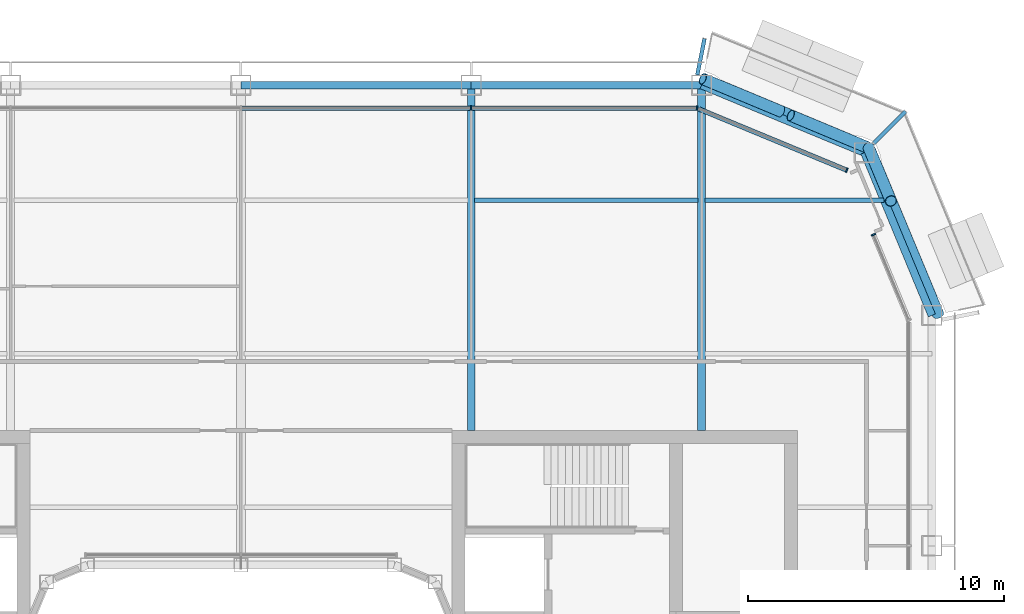
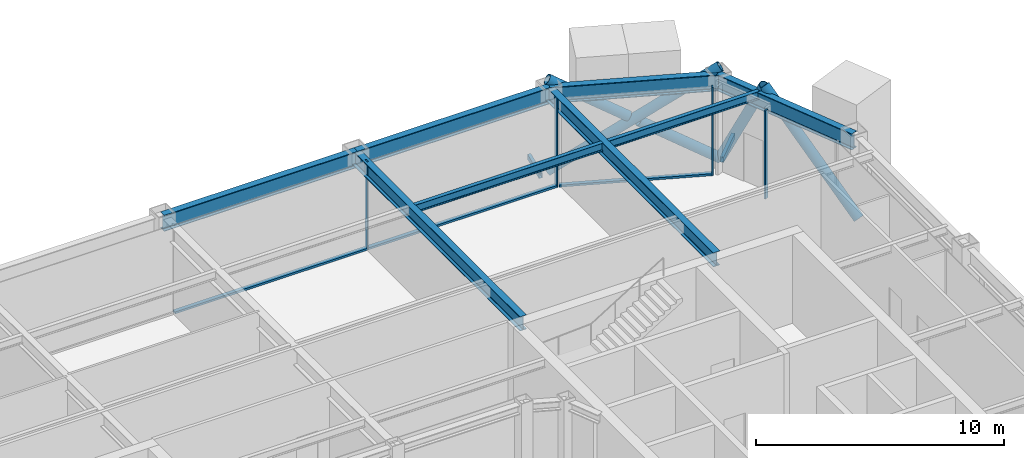
# One storey, part 10 of 23: 12 members, 10 beams, 3 elements without a shape of their own.
"""IFC4 building model written with IfcOpenShell, lengths in metres."""

from ifc_helpers import new_model, si_unit, direction, frame, origin, origin_2d, place, context, subcontext, project, spatial, rectangle, hollow_rectangle, hollow_circle, i_section, extrude, material, layer, layer_set, material_profile, profile_set, type_object, element, aggregate, save


model = new_model("IFC4")

# Units and contexts
model_context = context("Model", 3, precision=1e-05, world=origin(), true_north=direction((0.0, 1.0)))
body_context = subcontext(model_context, "Body", "Model", "MODEL_VIEW")
ifc_project = project(units=[si_unit("LENGTHUNIT", "METRE"), si_unit("AREAUNIT", "SQUARE_METRE"), si_unit("VOLUMEUNIT", "CUBIC_METRE"), si_unit("PLANEANGLEUNIT", "RADIAN"), si_unit("MASSUNIT", "GRAM", prefix="KILO")], contexts=[model_context])

# Site, building, storey
site_placement = place(None, origin())
site = spatial("IfcSite", under=ifc_project, at=site_placement, CompositionType="ELEMENT")
building_placement = place(site_placement, origin())
building = spatial("IfcBuilding", under=site, at=building_placement, Name="Siwar Civic Tower", CompositionType="ELEMENT")
storey_placement = place(building_placement, frame((0.0, 0.0, 260.199951171875)))
storey = spatial("IfcBuildingStorey", under=building, at=storey_placement, Name="L56", CompositionType="ELEMENT", Elevation=260.199951171875)

# Beams
ifc_material_1 = material(Name="Steel S355", Category="steel")
ifc_material_profile_1 = material_profile(ifc_material_1, hollow_rectangle(XDim=0.14990234375, YDim=0.25, WallThickness=0.010009765625, at=origin_2d()), Name="RHS250x150x10")
ifc_profile_set_1 = profile_set([ifc_material_profile_1], Name="Steel S355")
beam_type_1 = type_object("IfcBeamType", Name="ENV-BALCONY ARM", PredefinedType="BEAM", material=ifc_profile_set_1)
beam_1_placement = place(storey_placement, frame((24.728515625, 24.728515625, -0.27490234375), z_axis=(0.707106781187, 0.707106781187, 0.0), x_axis=(-0.707106781187, 0.707106781187, 0.0)))
element("IfcBeam", 1, at=beam_1_placement, inside=storey, type_object=beam_type_1, Name="Balcony cantilever beam NE 2", PredefinedType="BEAM", context=body_context, shape_type="SweptSolid", body=[
    extrude(hollow_rectangle(XDim=0.14990234375, YDim=0.25, WallThickness=0.010009765625, at=origin_2d()), origin(), (0.0, 0.0, 1.0), 1.75732421875),
])
beam_2_placement = place(storey_placement, frame((17.8349609375, 27.39990234375, -0.27490234375), z_axis=(0.195042496631, 0.980794792252, 0.0), x_axis=(-0.980794792252, 0.195042496631, 0.0)))
element("IfcBeam", 2, at=beam_2_placement, inside=storey, type_object=beam_type_1, Name="Balcony cantilever beam NE 3", PredefinedType="BEAM", context=body_context, shape_type="SweptSolid", body=[
    extrude(hollow_rectangle(XDim=0.14990234375, YDim=0.25, WallThickness=0.010009765625, at=origin_2d()), origin(), (0.0, 0.0, 1.0), 1.443359375),
])

# Curtain wall, member
ifc_material_2 = material(Name="Aluminium clad insulated panel", Category="aluminium")
ifc_layer_1 = layer(ifc_material_2, 0.179931640625)
ifc_layer_set_1 = layer_set([ifc_layer_1], Name="Aluminium clad insulated panel")
curtain_wall_type_1 = type_object("IfcCurtainWallType", Name="ENV-CW-CX", PredefinedType="NOTDEFINED", material=ifc_layer_set_1)
curtain_wall_1_placement = place(storey_placement, origin())
curtain_wall_1 = element("IfcCurtainWall", 3, at=curtain_wall_1_placement, inside=storey, type_object=curtain_wall_type_1, Name="Curtain wall C NE1", PredefinedType="NOTDEFINED")
ifc_material_3 = material(Name="Aluminium 6063-T6", Category="aluminium")
ifc_material_profile_2 = material_profile(ifc_material_3, rectangle(XDim=0.179931640625, YDim=0.06005859375, at=origin_2d()), Name="AL 180x60")
ifc_profile_set_2 = profile_set([ifc_material_profile_2], Name="Aluminium 6063-T6")
member_type_1 = type_object("IfcMemberType", Name="ENV-MULLION-C", PredefinedType="MULLION", material=ifc_profile_set_2)
member_1_placement = place(storey_placement, frame((24.719482421875, 21.153564453125, 0.0), z_axis=(0.0, 0.0, 1.0), x_axis=(-0.923879532511, -0.382683432365, 0.0)))
member_1 = element("IfcMember", 4, at=member_1_placement, type_object=member_type_1, Name="Mullion C NE1 2", PredefinedType="MULLION", context=body_context, shape_type="SweptSolid", body=[
    extrude(rectangle(XDim=0.179931640625, YDim=0.06005859375, at=origin_2d()), origin(), (0.0, 0.0, 1.0), 4.35009765625),
])
aggregate(curtain_wall_1, [member_1])

curtain_wall_2_placement = place(storey_placement, origin())
curtain_wall_2 = element("IfcCurtainWall", 5, at=curtain_wall_2_placement, inside=storey, type_object=curtain_wall_type_1, Name="Curtain wall C NE2", PredefinedType="NOTDEFINED")
member_2_placement = place(storey_placement, frame((23.675048828125, 23.675048828125, 0.0), z_axis=(0.0, 0.0, 1.0), x_axis=(-0.382683432365, -0.923879532511, 0.0)))
member_2 = element("IfcMember", 6, at=member_2_placement, type_object=member_type_1, Name="Mullion C NE2 1", PredefinedType="MULLION", context=body_context, shape_type="SweptSolid", body=[
    extrude(rectangle(XDim=0.179931640625, YDim=0.06005859375, at=origin_2d()), origin(), (0.0, 0.0, 1.0), 4.35009765625),
])

# Curtain wall, members
ifc_material_4 = material(Name="Aluminium and glass", Category="aluminium")
ifc_layer_2 = layer(ifc_material_4, 0.179931640625)
ifc_layer_set_2 = layer_set([ifc_layer_2], Name="Aluminium and glass")
curtain_wall_type_2 = type_object("IfcCurtainWallType", Name="ENV-CW-C", PredefinedType="NOTDEFINED", material=ifc_layer_set_2)
curtain_wall_3_placement = place(storey_placement, origin())
curtain_wall_3 = element("IfcCurtainWall", 7, at=curtain_wall_3_placement, inside=storey, type_object=curtain_wall_type_2, Name="Curtain wall C N", PredefinedType="NOTDEFINED")
member_3_placement = place(storey_placement, frame((17.821044921875, 26.10009765625, 0.0), z_axis=(0.0, 0.0, 1.0), x_axis=(0.0, -1.0, 0.0)))
member_3 = element("IfcMember", 8, at=member_3_placement, type_object=member_type_1, Name="Mullion C N 1", PredefinedType="MULLION", context=body_context, shape_type="SweptSolid", body=[
    extrude(rectangle(XDim=0.179931640625, YDim=0.06005859375, at=origin_2d()), origin(), (0.0, 0.0, 1.0), 4.35009765625),
])
member_4_placement = place(storey_placement, frame((9.0, 26.10009765625, 0.0), z_axis=(0.0, 0.0, 1.0), x_axis=(0.0, -1.0, 0.0)))
member_4 = element("IfcMember", 9, at=member_4_placement, type_object=member_type_1, Name="Mullion C N 2", PredefinedType="MULLION", context=body_context, shape_type="SweptSolid", body=[
    extrude(rectangle(XDim=0.179931640625, YDim=0.06005859375, at=origin_2d()), origin(), (0.0, 0.0, 1.0), 4.35009765625),
])

# Member
ifc_material_5 = material(Name="Aluminium 6063-T6", Category="aluminium")
ifc_material_profile_3 = material_profile(ifc_material_5, rectangle(XDim=0.179931640625, YDim=0.10009765625, at=origin_2d()), Name="AL 180x100")
ifc_profile_set_3 = profile_set([ifc_material_profile_3], Name="Aluminium 6063-T6")
member_type_2 = type_object("IfcMemberType", Name="ENV-TRANSOM-C", PredefinedType="USERDEFINED", material=ifc_profile_set_3)
member_5_placement = place(storey_placement, frame((23.6474609375, 23.6865234375, 0.050048828125), z_axis=(-0.923876246063, 0.382691366456, 0.0), x_axis=(-0.382691366456, -0.923876246063, 0.0)))
member_5 = element("IfcMember", 10, at=member_5_placement, type_object=member_type_2, Name="Transom C NE2 1", ObjectType="TRANSOM", PredefinedType="USERDEFINED", context=body_context, shape_type="SweptSolid", body=[
    extrude(rectangle(XDim=0.179931640625, YDim=0.10009765625, at=origin_2d()), origin(), (0.0, 0.0, 1.0), 6.20166015625),
])

aggregate(curtain_wall_2, [member_2, member_5])

member_6_placement = place(storey_placement, frame((17.791015625, 26.10009765625, 0.050048828125), z_axis=(-1.0, 0.0, 0.0), x_axis=(0.0, -1.0, 0.0)))
member_6 = element("IfcMember", 11, at=member_6_placement, type_object=member_type_2, Name="Transom C N 1", ObjectType="TRANSOM", PredefinedType="USERDEFINED", context=body_context, shape_type="SweptSolid", body=[
    extrude(rectangle(XDim=0.179931640625, YDim=0.10009765625, at=origin_2d()), origin(), (0.0, 0.0, 1.0), 8.760986328125),
])

member_7_placement = place(storey_placement, frame((8.969970703125, 26.10009765625, 0.050048828125), z_axis=(-1.0, 0.0, 0.0), x_axis=(0.0, -1.0, 0.0)))
member_7 = element("IfcMember", 12, at=member_7_placement, type_object=member_type_2, Name="Transom C N 2", ObjectType="TRANSOM", PredefinedType="USERDEFINED", context=body_context, shape_type="SweptSolid", body=[
    extrude(rectangle(XDim=0.179931640625, YDim=0.10009765625, at=origin_2d()), origin(), (0.0, 0.0, 1.0), 8.93994140625),
])

aggregate(curtain_wall_3, [member_3, member_4, member_6, member_7])

# Members
ifc_material_6 = material(Name="Steel S355", Category="steel")
ifc_material_profile_4 = material_profile(ifc_material_6, hollow_circle(Radius=0.228515625, WallThickness=0.02001953125, at=origin_2d()), Name="CHS457x20")
ifc_profile_set_4 = profile_set([ifc_material_profile_4], Name="Steel S355")
member_type_3 = type_object("IfcMemberType", Name="STR-BR-CHS457x20", PredefinedType="BRACE", material=ifc_profile_set_4)
member_8_placement = place(storey_placement, frame((18.048828125, 27.2451171875, 0.0), z_axis=(0.777554562952, -0.323905527954, 0.538975055633), x_axis=(0.384538969033, 0.923108759191, 0.0)))
element("IfcMember", 13, at=member_8_placement, inside=storey, type_object=member_type_3, Name="L56/brc/CNE1-16-0-1", PredefinedType="BRACE", context=body_context, shape_type="SweptSolid", body=[
    extrude(hollow_circle(Radius=0.228515625, WallThickness=0.02001953125, at=origin_2d()), origin(), (0.0, 0.0, 1.0), 8.34912109375),
])
for number, where, z_axis, x_axis, name in (
    (14, (24.540771484375, 24.540771484375, 0.0), (-0.777546448489, 0.323884455881, 0.538999424564), (-0.38452107079, -0.92311621485, 0.0), "L56/brc/CNE1-16-0-2"),
    (15, (21.10302734375, 25.972900390625, 2.383056640625), (-0.777572496853, 0.323895306243, 0.538955325357), (-0.38452107079, -0.92311621485, 0.0), "L56/brc/CNE1-16-0-3"),
):
    element("IfcMember", number, at=place(storey_placement, frame(where, z_axis=z_axis, x_axis=x_axis)), inside=storey, type_object=member_type_3, Name=name, PredefinedType="BRACE", context=body_context, shape_type="SweptSolid", body=[
        extrude(hollow_circle(Radius=0.228515625, WallThickness=0.02001953125, at=origin_2d()), origin(), (0.0, 0.0, 1.0), 3.927978515625),
    ])
member_9_placement = place(storey_placement, frame((27.2451171875, 18.048828125, 0.0), z_axis=(-0.280310719993, 0.672864582402, 0.684601456328), x_axis=(-0.923101041979, -0.384557494138, 0.0)))
element("IfcMember", 16, at=member_9_placement, inside=storey, type_object=member_type_3, Name="L56/brc/CNE1-16-0-0", PredefinedType="BRACE", context=body_context, shape_type="SweptSolid", body=[
    extrude(hollow_circle(Radius=0.228515625, WallThickness=0.02001953125, at=origin_2d()), origin(), (0.0, 0.0, 1.0), 6.5732421875),
])
member_10_placement = place(storey_placement, frame((24.540771484375, 24.540771484375, 0.0), z_axis=(0.171426870802, -0.411570178484, 0.895110504993), x_axis=(0.923125254544, 0.384499368559, 0.0)))
element("IfcMember", 17, at=member_10_placement, inside=storey, type_object=member_type_3, Name="L56/brc/CNE1-16-0-6", PredefinedType="BRACE", context=body_context, shape_type="SweptSolid", body=[
    extrude(hollow_circle(Radius=0.228515625, WallThickness=0.02001953125, at=origin_2d()), origin(), (0.0, 0.0, 1.0), 5.02734375),
])

# Beams
ifc_material_7 = material(Name="Steel S355", Category="steel")
ifc_material_profile_5 = material_profile(ifc_material_7, i_section(OverallWidth=0.179931640625, OverallDepth=0.39990234375, WebThickness=0.008544921875, FlangeThickness=0.013427734375, FilletRadius=0.02099609375, at=origin_2d()), Name="IPE400")
ifc_profile_set_5 = profile_set([ifc_material_profile_5], Name="Steel S355")
beam_type_2 = type_object("IfcBeamType", Name="STR-FB-IPE400", PredefinedType="JOIST", material=ifc_profile_set_5)
beam_3_placement = place(storey_placement, frame((9.1298828125, 22.5, 4.150146484375), z_axis=(1.0, 0.0, 0.0), x_axis=(0.0, 1.0, 0.0)))
element("IfcBeam", 18, at=beam_3_placement, inside=storey, type_object=beam_type_2, Name="L56/bm/F041", PredefinedType="JOIST", context=body_context, shape_type="SweptSolid", body=[
    extrude(i_section(OverallWidth=0.179931640625, OverallDepth=0.39990234375, WebThickness=0.008544921875, FlangeThickness=0.013427734375, FilletRadius=0.02099609375, at=origin_2d()), origin(), (0.0, 0.0, 1.0), 8.740234375),
])
beam_4_placement = place(storey_placement, frame((18.1298828125, 22.5, 4.150146484375), z_axis=(1.0, 0.0, 0.0), x_axis=(0.0, 1.0, 0.0)))
element("IfcBeam", 19, at=beam_4_placement, inside=storey, type_object=beam_type_2, Name="L56/bm/F042", PredefinedType="JOIST", context=body_context, shape_type="SweptSolid", body=[
    extrude(i_section(OverallWidth=0.179931640625, OverallDepth=0.39990234375, WebThickness=0.008544921875, FlangeThickness=0.013427734375, FilletRadius=0.02099609375, at=origin_2d()), origin(), (0.0, 0.0, 1.0), 7.006103515625),
])
ifc_material_8 = material(Name="Steel S355", Category="steel")
ifc_material_profile_6 = material_profile(ifc_material_8, i_section(OverallWidth=0.300048828125, OverallDepth=0.699951171875, WebThickness=0.01708984375, FlangeThickness=0.031982421875, FilletRadius=0.027099609375, at=origin_2d()), Name="HEB700")
ifc_profile_set_6 = profile_set([ifc_material_profile_6], Name="Steel S355")
beam_type_3 = type_object("IfcBeamType", Name="STR-PG-HEB700", PredefinedType="BEAM", material=ifc_profile_set_6)
for number, where, z_axis, x_axis, name in (
    (20, (9.0, 13.5, 4.0), (0.0, 1.0, 0.0), (-1.0, 0.0, 0.0), "L56/bm/G08"),
    (21, (18.0, 13.5, 4.0), (0.0, 1.0, 0.0), (-1.0, 0.0, 0.0), "L56/bm/G10"),
):
    element("IfcBeam", number, at=place(storey_placement, frame(where, z_axis=z_axis, x_axis=x_axis)), inside=storey, type_object=beam_type_3, Name=name, PredefinedType="BEAM", context=body_context, shape_type="SweptSolid", body=[
        extrude(i_section(OverallWidth=0.300048828125, OverallDepth=0.699951171875, WebThickness=0.01708984375, FlangeThickness=0.031982421875, FilletRadius=0.027099609375, at=origin_2d()), origin(), (0.0, 0.0, 1.0), 13.5),
    ])
ifc_material_9 = material(Name="Steel S355", Category="steel")
ifc_material_profile_7 = material_profile(ifc_material_9, i_section(OverallWidth=0.300048828125, OverallDepth=0.800048828125, WebThickness=0.017578125, FlangeThickness=0.032958984375, FilletRadius=0.030029296875, at=origin_2d()), Name="HEB800")
ifc_profile_set_7 = profile_set([ifc_material_profile_7], Name="Steel S355")
beam_type_4 = type_object("IfcBeamType", Name="STR-SB-HEB800", PredefinedType="BEAM", material=ifc_profile_set_7)
for number, where, z_axis, x_axis, name in (
    (22, (27.0, 18.0, 3.949951171875), (-0.382674207535, 0.923883353507, 0.0), (-0.923883353507, -0.382674207535, 0.0), "L56/bm/SNE1-0"),
    (23, (24.364013671875, 24.364013671875, 3.949951171875), (-0.923883353507, 0.382674207535, 0.0), (-0.382674207535, -0.923883353507, 0.0), "L56/bm/SNE2-0"),
):
    element("IfcBeam", number, at=place(storey_placement, frame(where, z_axis=z_axis, x_axis=x_axis)), inside=storey, type_object=beam_type_4, Name=name, PredefinedType="BEAM", context=body_context, shape_type="SweptSolid", body=[
        extrude(i_section(OverallWidth=0.300048828125, OverallDepth=0.800048828125, WebThickness=0.017578125, FlangeThickness=0.032958984375, FilletRadius=0.030029296875, at=origin_2d()), origin(), (0.0, 0.0, 1.0), 6.888427734375),
    ])
for number, where, z_axis, x_axis, name in (
    (24, (18.0, 27.0, 3.949951171875), (-1.0, 0.0, 0.0), (0.0, -1.0, 0.0), "L56/bm/SN-0"),
    (25, (9.0, 27.0, 3.949951171875), (-1.0, 0.0, 0.0), (0.0, -1.0, 0.0), "L56/bm/SN-1"),
):
    element("IfcBeam", number, at=place(storey_placement, frame(where, z_axis=z_axis, x_axis=x_axis)), inside=storey, type_object=beam_type_4, Name=name, PredefinedType="BEAM", context=body_context, shape_type="SweptSolid", body=[
        extrude(i_section(OverallWidth=0.300048828125, OverallDepth=0.800048828125, WebThickness=0.017578125, FlangeThickness=0.032958984375, FilletRadius=0.030029296875, at=origin_2d()), origin(), (0.0, 0.0, 1.0), 9.0),
    ])

save(model, "model.ifc")
